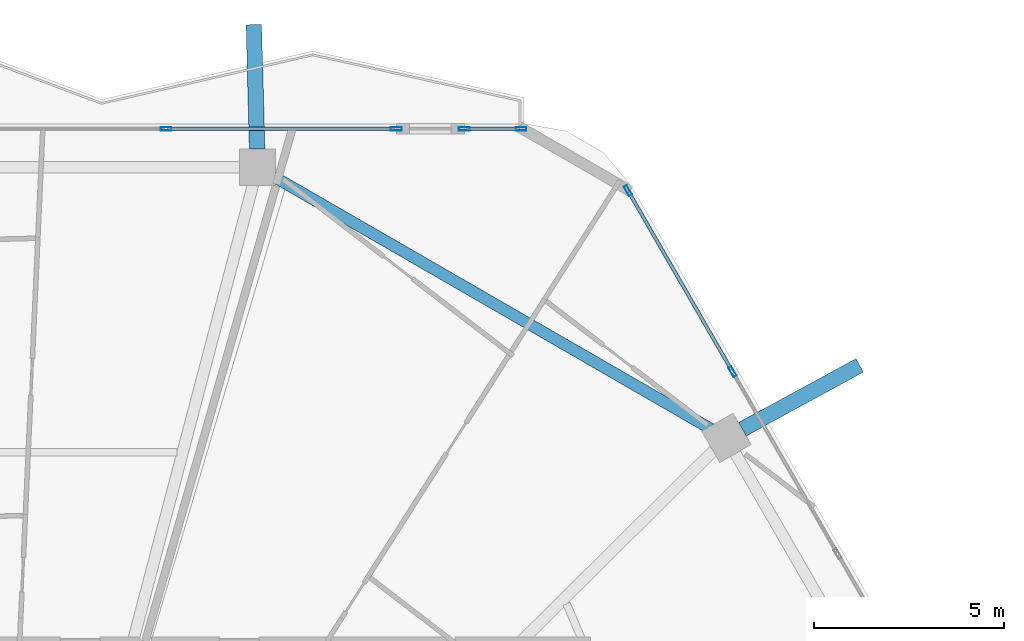
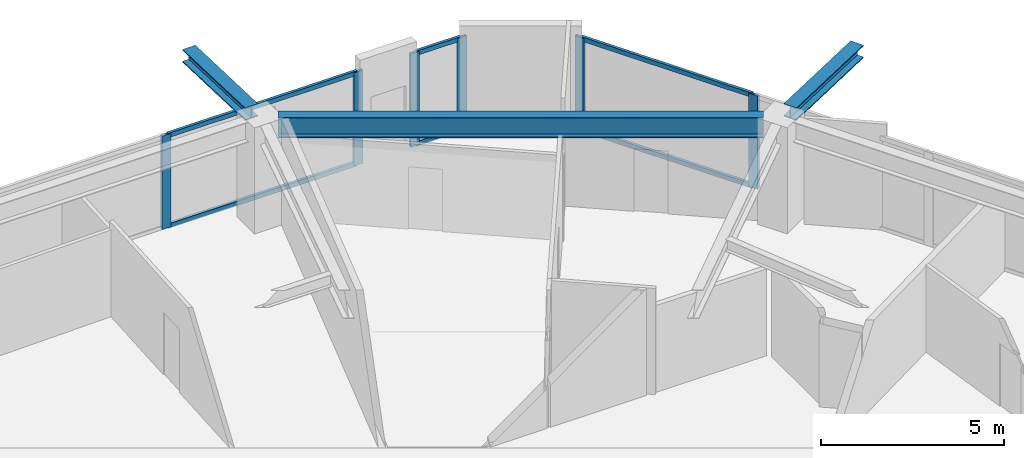
# One storey, part 16 of 25: 12 members, 3 beams, 3 elements without a shape of their own.
"""IFC4 building model written with IfcOpenShell, lengths in metres."""

from ifc_helpers import new_model, si_unit, direction, frame, origin, origin_2d, place, context, subcontext, project, spatial, hollow_rectangle, i_section, extrude, material, material_profile, profile_set, type_object, element, aggregate, save


model = new_model("IFC4")

# Units and contexts
model_context = context("Model", 3, precision=1e-05, world=origin(), true_north=direction((0.0, 1.0)))
body_context = subcontext(model_context, "Body", "Model", "MODEL_VIEW")
ifc_project = project(units=[si_unit("LENGTHUNIT", "METRE"), si_unit("AREAUNIT", "SQUARE_METRE"), si_unit("VOLUMEUNIT", "CUBIC_METRE"), si_unit("PLANEANGLEUNIT", "RADIAN"), si_unit("MASSUNIT", "GRAM", prefix="KILO")], contexts=[model_context])

# Site, building, storey
site_placement = place(None, origin())
site = spatial("IfcSite", under=ifc_project, at=site_placement, CompositionType="ELEMENT")
building_placement = place(site_placement, origin())
building = spatial("IfcBuilding", under=site, at=building_placement, Name="Zuhravey Tower", CompositionType="ELEMENT")
storey_placement = place(building_placement, frame((0.0, 0.0, 196.0)))
storey = spatial("IfcBuildingStorey", under=building, at=storey_placement, Name="L49", CompositionType="ELEMENT", Elevation=196.0)

# Curtain wall, members
ifc_material_1 = material(Name="Thermally broken anodised aluminium", Category="aluminium")
curtain_wall_type = type_object("IfcCurtainWallType", Name="Zone 1-2 Residential Curtain Wall CW3", PredefinedType="NOTDEFINED", material=ifc_material_1)
curtain_wall_1_placement = place(storey_placement, origin())
curtain_wall_1 = element("IfcCurtainWall", 1, at=curtain_wall_1_placement, inside=storey, type_object=curtain_wall_type, Name="L49 CW3 CW-L49-F2-1", PredefinedType="NOTDEFINED")
ifc_material_2 = material(Name="Anodised aluminium", Category="aluminium")
ifc_material_profile_1 = material_profile(ifc_material_2, hollow_rectangle(XDim=0.090087890625, YDim=0.284912109375, WallThickness=0.0048828125, at=origin_2d()), Name="ALU-RHS-90x285x5")
ifc_profile_set_1 = profile_set([ifc_material_profile_1], Name="Anodised aluminium")
member_type_1 = type_object("IfcMemberType", Name="Curtain-Wall Mullion 90x180", PredefinedType="MULLION", material=ifc_profile_set_1)
member_1_placement = place(storey_placement, frame((40.46875, 59.18310546875, 0.0), z_axis=(0.0, 0.0, 1.0), x_axis=(0.0, 1.0, 0.0)))
member_1 = element("IfcMember", 2, at=member_1_placement, type_object=member_type_1, Name="CW3 mullion 4", PredefinedType="MULLION", context=body_context, shape_type="SweptSolid", body=[
    extrude(hollow_rectangle(XDim=0.090087890625, YDim=0.284912109375, WallThickness=0.0048828125, at=origin_2d()), origin(), (0.0, 0.0, 1.0), 3.1220703125),
])
member_2_placement = place(storey_placement, frame((46.53369140625, 59.18310546875, 0.0), z_axis=(0.0, 0.0, 1.0), x_axis=(0.0, 1.0, 0.0)))
member_2 = element("IfcMember", 3, at=member_2_placement, type_object=member_type_1, Name="CW3 mullion 5", PredefinedType="MULLION", context=body_context, shape_type="SweptSolid", body=[
    extrude(hollow_rectangle(XDim=0.090087890625, YDim=0.284912109375, WallThickness=0.0048828125, at=origin_2d()), origin(), (0.0, 0.0, 1.0), 3.1220703125),
])

curtain_wall_2_placement = place(storey_placement, origin())
curtain_wall_2 = element("IfcCurtainWall", 4, at=curtain_wall_2_placement, inside=storey, type_object=curtain_wall_type, Name="L49 CW3 CW-L49-F2-2", PredefinedType="NOTDEFINED")
member_3_placement = place(storey_placement, frame((48.32373046875, 59.18310546875, 0.0), z_axis=(0.0, 0.0, 1.0), x_axis=(0.0, 1.0, 0.0)))
member_3 = element("IfcMember", 5, at=member_3_placement, type_object=member_type_1, Name="CW3 mullion 1", PredefinedType="MULLION", context=body_context, shape_type="SweptSolid", body=[
    extrude(hollow_rectangle(XDim=0.090087890625, YDim=0.284912109375, WallThickness=0.0048828125, at=origin_2d()), origin(), (0.0, 0.0, 1.0), 3.1220703125),
])
member_4_placement = place(storey_placement, frame((49.816162109375, 59.18310546875, 0.0), z_axis=(0.0, 0.0, 1.0), x_axis=(0.0, 1.0, 0.0)))
member_4 = element("IfcMember", 6, at=member_4_placement, type_object=member_type_1, Name="CW3 mullion 2", PredefinedType="MULLION", context=body_context, shape_type="SweptSolid", body=[
    extrude(hollow_rectangle(XDim=0.090087890625, YDim=0.284912109375, WallThickness=0.0048828125, at=origin_2d()), origin(), (0.0, 0.0, 1.0), 3.1220703125),
])

curtain_wall_3_placement = place(storey_placement, origin())
curtain_wall_3 = element("IfcCurtainWall", 7, at=curtain_wall_3_placement, inside=storey, type_object=curtain_wall_type, Name="L49 CW3 CW-L49-F1-1", PredefinedType="NOTDEFINED")
member_5_placement = place(storey_placement, frame((52.63330078125, 57.556640625, 0.0), z_axis=(0.0, 0.0, 1.0), x_axis=(0.866025138215, 0.500000459979, 0.0)))
member_5 = element("IfcMember", 8, at=member_5_placement, type_object=member_type_1, Name="CW3 mullion 1", PredefinedType="MULLION", context=body_context, shape_type="SweptSolid", body=[
    extrude(hollow_rectangle(XDim=0.090087890625, YDim=0.284912109375, WallThickness=0.0048828125, at=origin_2d()), origin(), (0.0, 0.0, 1.0), 3.1220703125),
])
member_6_placement = place(storey_placement, frame((55.3828125, 52.7939453125, 0.0), z_axis=(0.0, 0.0, 1.0), x_axis=(0.866025138215, 0.500000459979, 0.0)))
member_6 = element("IfcMember", 9, at=member_6_placement, type_object=member_type_1, Name="CW3 mullion 2", PredefinedType="MULLION", context=body_context, shape_type="SweptSolid", body=[
    extrude(hollow_rectangle(XDim=0.090087890625, YDim=0.284912109375, WallThickness=0.0048828125, at=origin_2d()), origin(), (0.0, 0.0, 1.0), 3.1220703125),
])

# Member
ifc_material_profile_2 = material_profile(ifc_material_2, hollow_rectangle(XDim=0.090087890625, YDim=0.14990234375, WallThickness=0.0048828125, at=origin_2d()), Name="ALU-RHS-90x150x5")
ifc_profile_set_2 = profile_set([ifc_material_profile_2], Name="Anodised aluminium")
member_type_2 = type_object("IfcMemberType", Name="Curtain-Wall Transom 90x150", PredefinedType="USERDEFINED", material=ifc_profile_set_2)
member_7_placement = place(storey_placement, frame((40.513916015625, 59.18310546875, 0.044921875), z_axis=(1.0, 0.0, 0.0), x_axis=(0.0, 1.0, 0.0)))
member_7 = element("IfcMember", 10, at=member_7_placement, type_object=member_type_2, Name="CW3 transom 4.1", ObjectType="TRANSOM", PredefinedType="USERDEFINED", context=body_context, shape_type="SweptSolid", body=[
    extrude(hollow_rectangle(XDim=0.090087890625, YDim=0.14990234375, WallThickness=0.0048828125, at=origin_2d()), origin(), (0.0, 0.0, 1.0), 5.974853515625),
])

member_8_placement = place(storey_placement, frame((40.513916015625, 59.18310546875, 3.076904296875), z_axis=(1.0, 0.0, 0.0), x_axis=(0.0, 1.0, 0.0)))
member_8 = element("IfcMember", 11, at=member_8_placement, type_object=member_type_2, Name="CW3 transom 4.2", ObjectType="TRANSOM", PredefinedType="USERDEFINED", context=body_context, shape_type="SweptSolid", body=[
    extrude(hollow_rectangle(XDim=0.090087890625, YDim=0.14990234375, WallThickness=0.0048828125, at=origin_2d()), origin(), (0.0, 0.0, 1.0), 5.974853515625),
])

aggregate(curtain_wall_1, [member_1, member_2, member_7, member_8])

member_9_placement = place(storey_placement, frame((48.368896484375, 59.18310546875, 0.044921875), z_axis=(1.0, 0.0, 0.0), x_axis=(0.0, 1.0, 0.0)))
member_9 = element("IfcMember", 12, at=member_9_placement, type_object=member_type_2, Name="CW3 transom 1.1", ObjectType="TRANSOM", PredefinedType="USERDEFINED", context=body_context, shape_type="SweptSolid", body=[
    extrude(hollow_rectangle(XDim=0.090087890625, YDim=0.14990234375, WallThickness=0.0048828125, at=origin_2d()), origin(), (0.0, 0.0, 1.0), 1.402099609375),
])

member_10_placement = place(storey_placement, frame((48.368896484375, 59.18310546875, 3.076904296875), z_axis=(1.0, 0.0, 0.0), x_axis=(0.0, 1.0, 0.0)))
member_10 = element("IfcMember", 13, at=member_10_placement, type_object=member_type_2, Name="CW3 transom 1.2", ObjectType="TRANSOM", PredefinedType="USERDEFINED", context=body_context, shape_type="SweptSolid", body=[
    extrude(hollow_rectangle(XDim=0.090087890625, YDim=0.14990234375, WallThickness=0.0048828125, at=origin_2d()), origin(), (0.0, 0.0, 1.0), 1.402099609375),
])

aggregate(curtain_wall_2, [member_3, member_4, member_9, member_10])

member_11_placement = place(storey_placement, frame((52.65576171875, 57.517578125, 0.044921875), z_axis=(0.499993332629, -0.866029253159, 0.0), x_axis=(0.866029253159, 0.499993332629, 0.0)))
member_11 = element("IfcMember", 14, at=member_11_placement, type_object=member_type_2, Name="CW3 transom 1.1", ObjectType="TRANSOM", PredefinedType="USERDEFINED", context=body_context, shape_type="SweptSolid", body=[
    extrude(hollow_rectangle(XDim=0.090087890625, YDim=0.14990234375, WallThickness=0.0048828125, at=origin_2d()), origin(), (0.0, 0.0, 1.0), 5.4091796875),
])

member_12_placement = place(storey_placement, frame((52.65576171875, 57.517578125, 3.076904296875), z_axis=(0.499993332629, -0.866029253159, 0.0), x_axis=(0.866029253159, 0.499993332629, 0.0)))
member_12 = element("IfcMember", 15, at=member_12_placement, type_object=member_type_2, Name="CW3 transom 1.2", ObjectType="TRANSOM", PredefinedType="USERDEFINED", context=body_context, shape_type="SweptSolid", body=[
    extrude(hollow_rectangle(XDim=0.090087890625, YDim=0.14990234375, WallThickness=0.0048828125, at=origin_2d()), origin(), (0.0, 0.0, 1.0), 5.4091796875),
])

aggregate(curtain_wall_3, [member_5, member_6, member_11, member_12])

# Beams
ifc_material_3 = material(Name="Steel SM460", Category="steel")
ifc_material_profile_3 = material_profile(ifc_material_3, i_section(OverallWidth=0.406982421875, OverallDepth=0.427978515625, WebThickness=0.02001953125, FlangeThickness=0.034912109375, at=origin_2d()), Name="H-428x407x20x35")
ifc_profile_set_3 = profile_set([ifc_material_profile_3], Name="Steel SM460")
beam_type_1 = type_object("IfcBeamType", Name="Exoskeleton Node Tie Beam H428x407", PredefinedType="BEAM", material=ifc_profile_set_3)
beam_1_placement = place(storey_placement, frame((55.646484375, 51.275634765625, 3.3359375), z_axis=(0.878367339529, 0.477986209894, 0.0), x_axis=(-0.477986209894, 0.878367339529, 0.0)))
element("IfcBeam", 16, at=beam_1_placement, inside=storey, type_object=beam_type_1, Name="L49 Exoskeleton Node Tie NT1-02", PredefinedType="BEAM", context=body_context, shape_type="SweptSolid", body=[
    extrude(i_section(OverallWidth=0.406982421875, OverallDepth=0.427978515625, WebThickness=0.02001953125, FlangeThickness=0.034912109375, at=origin_2d()), origin(), (0.0, 0.0, 1.0), 3.51708984375),
])
beam_2_placement = place(storey_placement, frame((42.869140625, 58.652099609375, 3.3359375), z_axis=(-0.026743542408, 0.999642327505, 0.0), x_axis=(-0.999642327505, -0.026743542408, 0.0)))
element("IfcBeam", 17, at=beam_2_placement, inside=storey, type_object=beam_type_1, Name="L49 Exoskeleton Node Tie NT1-03", PredefinedType="BEAM", context=body_context, shape_type="SweptSolid", body=[
    extrude(i_section(OverallWidth=0.406982421875, OverallDepth=0.427978515625, WebThickness=0.02001953125, FlangeThickness=0.034912109375, at=origin_2d()), origin(), (0.0, 0.0, 1.0), 3.27734375),
])
ifc_material_4 = material(Name="Steel SM355", Category="steel")
ifc_material_profile_4 = material_profile(ifc_material_4, i_section(OverallWidth=0.300048828125, OverallDepth=0.679931640625, WebThickness=0.012939453125, FlangeThickness=0.02197265625, at=origin_2d()), Name="H-680x300x13x22")
ifc_profile_set_4 = profile_set([ifc_material_profile_4], Name="Steel SM355")
beam_type_2 = type_object("IfcBeamType", Name="Perimeter Ring Beam H680x300", PredefinedType="BEAM", material=ifc_profile_set_4)
beam_3_placement = place(storey_placement, frame((54.8115234375, 51.28564453125, 3.2099609375), z_axis=(-0.866029041019, 0.499993700073, 0.0), x_axis=(-0.499993700073, -0.866029041019, 0.0)))
element("IfcBeam", 18, at=beam_3_placement, inside=storey, type_object=beam_type_2, Name="L49 PB2 BM-L49-PB-02", PredefinedType="BEAM", context=body_context, shape_type="SweptSolid", body=[
    extrude(i_section(OverallWidth=0.300048828125, OverallDepth=0.679931640625, WebThickness=0.012939453125, FlangeThickness=0.02197265625, at=origin_2d()), origin(), (0.0, 0.0, 1.0), 13.297119140625),
])

save(model, "model.ifc")
